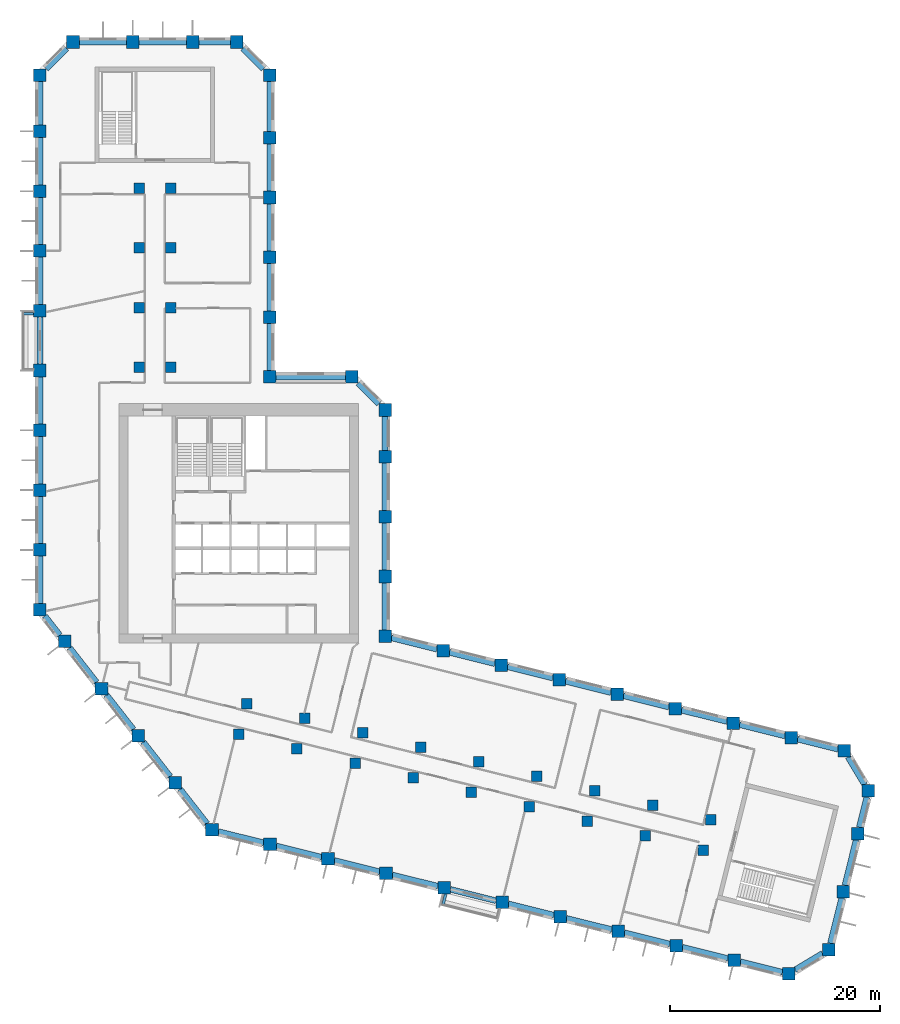
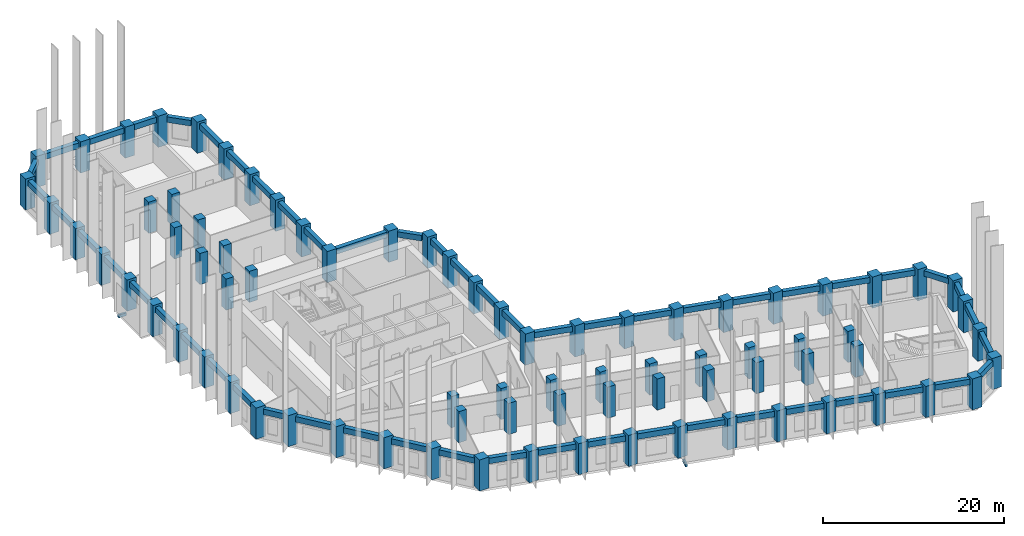
# One storey, part 1 of 10: 79 columns, 55 beams.
"""IFC4 building model written with IfcOpenShell, lengths in metres."""

from ifc_helpers import new_model, si_unit, direction, frame, origin, origin_2d, place, context, subcontext, project, spatial, rectangle, extrude, material, material_profile, profile_set, type_object, element, save


model = new_model("IFC4")

# Units and contexts
model_context = context("Model", 3, precision=1e-05, world=origin(), true_north=direction((0.0, 1.0)))
body_context = subcontext(model_context, "Body", "Model", "MODEL_VIEW")
ifc_project = project(units=[si_unit("LENGTHUNIT", "METRE"), si_unit("AREAUNIT", "SQUARE_METRE"), si_unit("VOLUMEUNIT", "CUBIC_METRE"), si_unit("PLANEANGLEUNIT", "RADIAN"), si_unit("MASSUNIT", "GRAM", prefix="KILO")], contexts=[model_context])

# Site, building, storey
site_placement = place(None, origin())
site = spatial("IfcSite", under=ifc_project, at=site_placement, CompositionType="ELEMENT")
building_placement = place(site_placement, origin())
building = spatial("IfcBuilding", under=site, at=building_placement, Name="Meshkara Civic Tower", CompositionType="ELEMENT")
storey_placement = place(building_placement, frame((0.0, 0.0, 178.199951171875)))
storey = spatial("IfcBuildingStorey", under=building, at=storey_placement, Name="L40", CompositionType="ELEMENT", Elevation=178.199951171875)

# Columns
ifc_material_1 = material(Name="Concrete C70", Category="concrete")
ifc_material_profile_1 = material_profile(ifc_material_1, rectangle(XDim=1.0, YDim=1.0, at=origin_2d()))
ifc_profile_set_1 = profile_set([ifc_material_profile_1], Name="Concrete C70")
column_type_1 = type_object("IfcColumnType", Name="Interior column RC 1000x1000 C70", PredefinedType="COLUMN", material=ifc_profile_set_1)
for number, where, z_axis, x_axis, name in (
    (1, (9.89990234375, 40.35009765625, 0.0), (0.0, 0.0, 1.0), (1.0, 0.0, 0.0), "Column SA1-04 L40"),
    (2, (9.89990234375, 46.050048828125, 0.0), (0.0, 0.0, 1.0), (1.0, 0.0, 0.0), "Column SA1-05 L40"),
    (3, (9.89990234375, 51.75, 0.0), (0.0, 0.0, 1.0), (1.0, 0.0, 0.0), "Column SA1-06 L40"),
    (4, (9.89990234375, 57.449951171875, 0.0), (0.0, 0.0, 1.0), (1.0, 0.0, 0.0), "Column SA1-07 L40"),
    (5, (12.89990234375, 40.35009765625, 0.0), (0.0, 0.0, 1.0), (1.0, 0.0, 0.0), "Column SA2-04 L40"),
    (6, (12.89990234375, 46.050048828125, 0.0), (0.0, 0.0, 1.0), (1.0, 0.0, 0.0), "Column SA2-05 L40"),
    (7, (12.89990234375, 51.75, 0.0), (0.0, 0.0, 1.0), (1.0, 0.0, 0.0), "Column SA2-06 L40"),
    (8, (12.89990234375, 57.449951171875, 0.0), (0.0, 0.0, 1.0), (1.0, 0.0, 0.0), "Column SA2-07 L40"),
    (9, (19.424072265625, 5.360107421875, 0.0), (0.0, 0.0, 1.0), (1.0, 0.0, 0.0), "Column SB1-00 L40"),
    (10, (24.9541015625, 3.98095703125, 0.0), (0.0, 0.0, 1.0), (1.0, 0.0, 0.0), "Column SB1-01 L40"),
    (11, (30.485107421875, 2.60205078125, 0.0), (0.0, 0.0, 1.0), (1.0, 0.0, 0.0), "Column SB1-02 L40"),
    (12, (36.01611328125, 1.222900390625, 0.0), (0.0, 0.0, 1.0), (1.0, 0.0, 0.0), "Column SB1-03 L40"),
    (13, (41.5458984375, -0.156005859375, 0.0), (0.0, 0.0, 1.0), (1.0, 0.0, 0.0), "Column SB1-04 L40"),
    (14, (47.076904296875, -1.534912109375, 0.0), (0.0, 0.0, 1.0), (1.0, 0.0, 0.0), "Column SB1-05 L40"),
    (15, (52.60791015625, -2.9140625, 0.0), (0.0, 0.0, 1.0), (1.0, 0.0, 0.0), "Column SB1-06 L40"),
    (16, (58.138916015625, -4.2919921875, 0.0), (0.0, 0.0, 1.0), (1.0, 0.0, 0.0), "Column SB1-07 L40"),
    (17, (63.6689453125, -5.6708984375, 0.0), (0.0, 0.0, 1.0), (1.0, 0.0, 0.0), "Column SB1-08 L40"),
    (18, (20.14892578125, 8.27099609375, 0.0), (0.0, 0.0, 1.0), (1.0, 0.0, 0.0), "Column SB2-00 L40"),
    (19, (25.679931640625, 6.89208984375, 0.0), (0.0, 0.0, 1.0), (1.0, 0.0, 0.0), "Column SB2-01 L40"),
    (20, (31.2109375, 5.512939453125, 0.0), (0.0, 0.0, 1.0), (1.0, 0.0, 0.0), "Column SB2-02 L40"),
    (21, (36.741943359375, 4.134033203125, 0.0), (0.0, 0.0, 1.0), (1.0, 0.0, 0.0), "Column SB2-03 L40"),
    (22, (42.27197265625, 2.7548828125, 0.0), (0.0, 0.0, 1.0), (1.0, 0.0, 0.0), "Column SB2-04 L40"),
    (23, (47.802978515625, 1.3759765625, 0.0), (0.0, 0.0, 1.0), (1.0, 0.0, 0.0), "Column SB2-05 L40"),
    (24, (53.333984375, -0.0029296875, 0.0), (0.0, 0.0, 1.0), (1.0, 0.0, 0.0), "Column SB2-06 L40"),
    (25, (58.864013671875, -1.382080078125, 0.0), (0.0, 0.0, 1.0), (1.0, 0.0, 0.0), "Column SB2-07 L40"),
    (26, (64.39501953125, -2.760986328125, 0.0), (0.0, 0.0, 1.0), (1.0, 0.0, 0.0), "Column SB2-08 L40"),
):
    element("IfcColumn", number, at=place(storey_placement, frame(where, z_axis=z_axis, x_axis=x_axis)), inside=storey, type_object=column_type_1, Name=name, PredefinedType="COLUMN", context=body_context, shape_type="SweptSolid", body=[
        extrude(rectangle(XDim=1.0, YDim=1.0, at=origin_2d()), origin(), (0.0, 0.0, 1.0), 4.199951171875),
    ])
ifc_material_2 = material(Name="Concrete C70", Category="concrete")
ifc_material_profile_2 = material_profile(ifc_material_2, rectangle(XDim=1.199951171875, YDim=1.199951171875, at=origin_2d()))
ifc_profile_set_2 = profile_set([ifc_material_profile_2], Name="Concrete C70")
column_type_2 = type_object("IfcColumnType", Name="Perimeter column RC 1200x1200 C70", PredefinedType="COLUMN", material=ifc_profile_set_2)
for number, where, z_axis, x_axis, name in (
    (27, (33.35009765625, 14.718994140625, 0.0), (0.0, 0.0, 1.0), (1.0, 0.0, 0.0), "Column HE00 L40"),
    (28, (33.35009765625, 20.4189453125, 0.0), (0.0, 0.0, 1.0), (1.0, 0.0, 0.0), "Column HE01 L40"),
    (29, (33.35009765625, 26.118896484375, 0.0), (0.0, 0.0, 1.0), (1.0, 0.0, 0.0), "Column HE02 L40"),
    (30, (33.35009765625, 31.819091796875, 0.0), (0.0, 0.0, 1.0), (1.0, 0.0, 0.0), "Column HE03 L40"),
    (31, (33.35009765625, 36.2939453125, 0.0), (0.0, 0.0, 1.0), (1.0, 0.0, 0.0), "Column HEE L40"),
    (32, (30.194091796875, 39.449951171875, 0.0), (0.0, 0.0, 1.0), (1.0, 0.0, 0.0), "Column HCeE L40"),
    (33, (22.35009765625, 39.449951171875, 0.0), (0.0, 0.0, 1.0), (1.0, 0.0, 0.0), "Column HN00 L40"),
    (34, (22.35009765625, 45.14990234375, 0.0), (0.0, 0.0, 1.0), (1.0, 0.0, 0.0), "Column AE01 L40"),
    (35, (22.35009765625, 50.85009765625, 0.0), (0.0, 0.0, 1.0), (1.0, 0.0, 0.0), "Column AE02 L40"),
    (36, (22.35009765625, 56.550048828125, 0.0), (0.0, 0.0, 1.0), (1.0, 0.0, 0.0), "Column AE03 L40"),
    (37, (22.35009765625, 62.25, 0.0), (0.0, 0.0, 1.0), (1.0, 0.0, 0.0), "Column AE04 L40"),
    (38, (22.35009765625, 68.214111328125, 0.0), (0.0, 0.0, 1.0), (1.0, 0.0, 0.0), "Column AEEP2 L40"),
    (39, (19.194091796875, 71.3701171875, 0.0), (0.0, 0.0, 1.0), (1.0, 0.0, 0.0), "Column ATiEP2 L40"),
    (40, (3.60595703125, 71.3701171875, 0.0), (0.0, 0.0, 1.0), (1.0, 0.0, 0.0), "Column AT00-P2 L40"),
    (41, (9.305908203125, 71.3701171875, 0.0), (0.0, 0.0, 1.0), (1.0, 0.0, 0.0), "Column AT01-P2 L40"),
    (42, (15.006103515625, 71.3701171875, 0.0), (0.0, 0.0, 1.0), (1.0, 0.0, 0.0), "Column AT02-P2 L40"),
    (43, (0.449951171875, 68.214111328125, 0.0), (0.0, 0.0, 1.0), (1.0, 0.0, 0.0), "Column ATo00-P2 L40"),
    (44, (0.449951171875, 17.2548828125, 0.0), (0.0, 0.0, 1.0), (1.0, 0.0, 0.0), "Column AW00 L40"),
    (45, (0.449951171875, 22.955078125, 0.0), (0.0, 0.0, 1.0), (1.0, 0.0, 0.0), "Column AW01 L40"),
    (46, (0.449951171875, 28.655029296875, 0.0), (0.0, 0.0, 1.0), (1.0, 0.0, 0.0), "Column AW02 L40"),
    (47, (0.449951171875, 34.35498046875, 0.0), (0.0, 0.0, 1.0), (1.0, 0.0, 0.0), "Column AW03 L40"),
    (48, (0.449951171875, 40.054931640625, 0.0), (0.0, 0.0, 1.0), (1.0, 0.0, 0.0), "Column AW04 L40"),
    (49, (0.449951171875, 45.7548828125, 0.0), (0.0, 0.0, 1.0), (1.0, 0.0, 0.0), "Column AW05 L40"),
    (50, (0.449951171875, 51.455078125, 0.0), (0.0, 0.0, 1.0), (1.0, 0.0, 0.0), "Column AW06 L40"),
    (51, (0.449951171875, 57.155029296875, 0.0), (0.0, 0.0, 1.0), (1.0, 0.0, 0.0), "Column AW07 L40"),
    (52, (0.449951171875, 62.85498046875, 0.0), (0.0, 0.0, 1.0), (1.0, 0.0, 0.0), "Column AW08 L40"),
    (53, (16.85107421875, -3.738037109375, 0.0), (0.0, 0.0, 1.0), (1.0, 0.0, 0.0), "Column BOW00 L40"),
    (54, (13.342041015625, 0.75390625, 0.0), (0.0, 0.0, 1.0), (1.0, 0.0, 0.0), "Column BOW01 L40"),
    (55, (9.8330078125, 5.2451171875, 0.0), (0.0, 0.0, 1.0), (1.0, 0.0, 0.0), "Column BOW02 L40"),
    (56, (6.322998046875, 9.737060546875, 0.0), (0.0, 0.0, 1.0), (1.0, 0.0, 0.0), "Column BOW03 L40"),
    (57, (2.81396484375, 14.22900390625, 0.0), (0.0, 0.0, 1.0), (1.0, 0.0, 0.0), "Column BOW04 L40"),
    (58, (22.382080078125, -5.116943359375, 0.0), (0.0, 0.0, 1.0), (1.0, 0.0, 0.0), "Column BS01 L40"),
    (59, (27.912109375, -6.49609375, 0.0), (0.0, 0.0, 1.0), (1.0, 0.0, 0.0), "Column BS02 L40"),
    (60, (33.443115234375, -7.875, 0.0), (0.0, 0.0, 1.0), (1.0, 0.0, 0.0), "Column BS03 L40"),
    (61, (38.97412109375, -9.2529296875, 0.0), (0.0, 0.0, 1.0), (1.0, 0.0, 0.0), "Column BS04-P1 L40"),
    (62, (44.5048828125, -10.632080078125, 0.0), (0.0, 0.0, 1.0), (1.0, 0.0, 0.0), "Column BS05 L40"),
    (63, (50.034912109375, -12.010986328125, 0.0), (0.0, 0.0, 1.0), (1.0, 0.0, 0.0), "Column BS06 L40"),
    (64, (55.56591796875, -13.389892578125, 0.0), (0.0, 0.0, 1.0), (1.0, 0.0, 0.0), "Column BS07 L40"),
    (65, (61.096923828125, -14.76904296875, 0.0), (0.0, 0.0, 1.0), (1.0, 0.0, 0.0), "Column BS08 L40"),
    (66, (66.626953125, -16.14794921875, 0.0), (0.0, 0.0, 1.0), (1.0, 0.0, 0.0), "Column BS09 L40"),
    (67, (71.826904296875, -17.444091796875, 0.0), (0.0, 0.0, 1.0), (1.0, 0.0, 0.0), "Column BSEP2 L40"),
    (68, (75.653076171875, -15.14501953125, 0.0), (0.0, 0.0, 1.0), (1.0, 0.0, 0.0), "Column BToEP2 L40"),
    (69, (77.031982421875, -9.614013671875, 0.0), (0.0, 0.0, 1.0), (1.0, 0.0, 0.0), "Column BT01-P2 L40"),
    (70, (78.410888671875, -4.083984375, 0.0), (0.0, 0.0, 1.0), (1.0, 0.0, 0.0), "Column BT02-P2 L40"),
    (71, (79.424072265625, -0.02099609375, 0.0), (0.0, 0.0, 1.0), (1.0, 0.0, 0.0), "Column BTEP2 L40"),
    (72, (77.125, 3.803955078125, 0.0), (0.0, 0.0, 1.0), (1.0, 0.0, 0.0), "Column BTi00-P2 L40"),
    (73, (38.881103515625, 13.340087890625, 0.0), (0.0, 0.0, 1.0), (1.0, 0.0, 0.0), "Column BN01 L40"),
    (74, (44.410888671875, 11.9609375, 0.0), (0.0, 0.0, 1.0), (1.0, 0.0, 0.0), "Column BN02 L40"),
    (75, (49.94189453125, 10.58203125, 0.0), (0.0, 0.0, 1.0), (1.0, 0.0, 0.0), "Column BN03 L40"),
    (76, (55.472900390625, 9.202880859375, 0.0), (0.0, 0.0, 1.0), (1.0, 0.0, 0.0), "Column BN04 L40"),
    (77, (61.0029296875, 7.823974609375, 0.0), (0.0, 0.0, 1.0), (1.0, 0.0, 0.0), "Column BN05 L40"),
    (78, (66.533935546875, 6.445068359375, 0.0), (0.0, 0.0, 1.0), (1.0, 0.0, 0.0), "Column BN06 L40"),
    (79, (72.06494140625, 5.06591796875, 0.0), (0.0, 0.0, 1.0), (1.0, 0.0, 0.0), "Column BN07 L40"),
):
    element("IfcColumn", number, at=place(storey_placement, frame(where, z_axis=z_axis, x_axis=x_axis)), inside=storey, type_object=column_type_2, Name=name, PredefinedType="COLUMN", context=body_context, shape_type="SweptSolid", body=[
        extrude(rectangle(XDim=1.199951171875, YDim=1.199951171875, at=origin_2d()), origin(), (0.0, 0.0, 1.0), 4.199951171875),
    ])

# Beams
ifc_material_3 = material(Name="Concrete C50", Category="concrete")
ifc_material_profile_3 = material_profile(ifc_material_3, rectangle(XDim=0.25, YDim=0.39990234375, at=origin_2d()))
ifc_profile_set_3 = profile_set([ifc_material_profile_3], Name="Concrete C50")
beam_type_1 = type_object("IfcBeamType", Name="Balcony bracket beam RC 250x400 C50", PredefinedType="BEAM", material=ifc_profile_set_3)
beam_1_placement = place(storey_placement, frame((-0.14501953125, 45.455078125, -0.5), z_axis=(-1.0, 0.0, 0.0), x_axis=(0.0, -1.0, 0.0)))
element("IfcBeam", 80, at=beam_1_placement, inside=storey, type_object=beam_type_1, Name="Balcony bracket beam", PredefinedType="BEAM", context=body_context, shape_type="SweptSolid", body=[
    extrude(rectangle(XDim=0.25, YDim=0.39990234375, at=origin_2d()), origin(), (0.0, 0.0, 1.0), 0.955078125),
])
beam_2_placement = place(storey_placement, frame((39.135009765625, -9.847900390625, -0.5), z_axis=(-0.242138377463, -0.970241725633, 0.0), x_axis=(0.970241725633, -0.242138377463, 0.0)))
element("IfcBeam", 81, at=beam_2_placement, inside=storey, type_object=beam_type_1, Name="Balcony bracket beam", PredefinedType="BEAM", context=body_context, shape_type="SweptSolid", body=[
    extrude(rectangle(XDim=0.25, YDim=0.39990234375, at=origin_2d()), origin(), (0.0, 0.0, 1.0), 1.01220703125),
])
ifc_material_4 = material(Name="Concrete C60", Category="concrete")
ifc_material_profile_4 = material_profile(ifc_material_4, rectangle(XDim=0.550048828125, YDim=0.75, at=origin_2d()))
ifc_profile_set_4 = profile_set([ifc_material_profile_4], Name="Concrete C60")
beam_type_2 = type_object("IfcBeamType", Name="Spandrel beam RC 550x750 C60", PredefinedType="BEAM", material=ifc_profile_set_4)
for number, where, z_axis, x_axis, name in (
    (82, (71.469970703125, 5.21435546875, 3.525146484375), (-0.970296390995, 0.241919229543, 0.0), (-0.241919229543, -0.970296390995, 0.0), "Spandrel beam BN06-BN07"),
    (83, (65.93896484375, 6.593505859375, 3.525146484375), (-0.970309199754, 0.241867850018, 0.0), (-0.241867850018, -0.970309199754, 0.0), "Spandrel beam BN05-BN06"),
):
    element("IfcBeam", number, at=place(storey_placement, frame(where, z_axis=z_axis, x_axis=x_axis)), inside=storey, type_object=beam_type_2, Name=name, PredefinedType="BEAM", context=body_context, shape_type="SweptSolid", body=[
        extrude(rectangle(XDim=0.550048828125, YDim=0.75, at=origin_2d()), origin(), (0.0, 0.0, 1.0), 4.4736328125),
    ])
beam_3_placement = place(storey_placement, frame((60.407958984375, 7.972412109375, 3.525146484375), z_axis=(-0.970283611566, 0.241970479865, 0.0), x_axis=(-0.241970479865, -0.970283611566, 0.0)))
element("IfcBeam", 84, at=beam_3_placement, inside=storey, type_object=beam_type_2, Name="Spandrel beam BN04-BN05", PredefinedType="BEAM", context=body_context, shape_type="SweptSolid", body=[
    extrude(rectangle(XDim=0.550048828125, YDim=0.75, at=origin_2d()), origin(), (0.0, 0.0, 1.0), 4.47265625),
])
for number, where, z_axis, x_axis, name in (
    (85, (54.8779296875, 9.351318359375, 3.525146484375), (-0.970296390995, 0.241919229543, 0.0), (-0.241919229543, -0.970296390995, 0.0), "Spandrel beam BN03-BN04"),
    (86, (49.346923828125, 10.73046875, 3.525146484375), (-0.970309199754, 0.241867850018, 0.0), (-0.241867850018, -0.970309199754, 0.0), "Spandrel beam BN02-BN03"),
):
    element("IfcBeam", number, at=place(storey_placement, frame(where, z_axis=z_axis, x_axis=x_axis)), inside=storey, type_object=beam_type_2, Name=name, PredefinedType="BEAM", context=body_context, shape_type="SweptSolid", body=[
        extrude(rectangle(XDim=0.550048828125, YDim=0.75, at=origin_2d()), origin(), (0.0, 0.0, 1.0), 4.4736328125),
    ])
beam_4_placement = place(storey_placement, frame((43.81591796875, 12.109375, 3.525146484375), z_axis=(-0.970283611566, 0.241970479865, 0.0), x_axis=(-0.241970479865, -0.970283611566, 0.0)))
element("IfcBeam", 87, at=beam_4_placement, inside=storey, type_object=beam_type_2, Name="Spandrel beam BN01-BN02", PredefinedType="BEAM", context=body_context, shape_type="SweptSolid", body=[
    extrude(rectangle(XDim=0.550048828125, YDim=0.75, at=origin_2d()), origin(), (0.0, 0.0, 1.0), 4.47265625),
])
beam_5_placement = place(storey_placement, frame((38.285888671875, 13.48828125, 3.525146484375), z_axis=(-0.970296390995, 0.241919229543, 0.0), x_axis=(-0.241919229543, -0.970296390995, 0.0)))
element("IfcBeam", 88, at=beam_5_placement, inside=storey, type_object=beam_type_2, Name="Spandrel beam BN01-HE00", PredefinedType="BEAM", context=body_context, shape_type="SweptSolid", body=[
    extrude(rectangle(XDim=0.550048828125, YDim=0.75, at=origin_2d()), origin(), (0.0, 0.0, 1.0), 4.4736328125),
])
for number, where, z_axis, x_axis, name in (
    (89, (33.35009765625, 15.31396484375, 3.525146484375), (0.0, 1.0, 0.0), (-1.0, 0.0, 0.0), "Spandrel beam HE00-HE01"),
    (90, (33.35009765625, 21.013916015625, 3.525146484375), (0.0, 1.0, 0.0), (-1.0, 0.0, 0.0), "Spandrel beam HE01-HE02"),
    (91, (33.35009765625, 26.714111328125, 3.525146484375), (0.0, 1.0, 0.0), (-1.0, 0.0, 0.0), "Spandrel beam HE02-HE03"),
):
    element("IfcBeam", number, at=place(storey_placement, frame(where, z_axis=z_axis, x_axis=x_axis)), inside=storey, type_object=beam_type_2, Name=name, PredefinedType="BEAM", context=body_context, shape_type="SweptSolid", body=[
        extrude(rectangle(XDim=0.550048828125, YDim=0.75, at=origin_2d()), origin(), (0.0, 0.0, 1.0), 4.510009765625),
    ])
beam_6_placement = place(storey_placement, frame((33.35009765625, 32.4140625, 3.525146484375), z_axis=(0.0, 1.0, 0.0), x_axis=(-1.0, 0.0, 0.0)))
element("IfcBeam", 92, at=beam_6_placement, inside=storey, type_object=beam_type_2, Name="Spandrel beam HE03-HEE", PredefinedType="BEAM", context=body_context, shape_type="SweptSolid", body=[
    extrude(rectangle(XDim=0.550048828125, YDim=0.75, at=origin_2d()), origin(), (0.0, 0.0, 1.0), 3.284912109375),
])
beam_7_placement = place(storey_placement, frame((32.75341796875, 36.890380859375, 3.525146484375), z_axis=(-0.707062808252, 0.707150751387, 0.0), x_axis=(-0.707150751387, -0.707062808252, 0.0)))
element("IfcBeam", 93, at=beam_7_placement, inside=storey, type_object=beam_type_2, Name="Spandrel beam HCeE-HEE", PredefinedType="BEAM", context=body_context, shape_type="SweptSolid", body=[
    extrude(rectangle(XDim=0.550048828125, YDim=0.75, at=origin_2d()), origin(), (0.0, 0.0, 1.0), 2.776123046875),
])
beam_8_placement = place(storey_placement, frame((29.59912109375, 39.449951171875, 3.525146484375), z_axis=(-1.0, 0.0, 0.0), x_axis=(0.0, -1.0, 0.0)))
element("IfcBeam", 94, at=beam_8_placement, inside=storey, type_object=beam_type_2, Name="Spandrel beam HCeE-HN00", PredefinedType="BEAM", context=body_context, shape_type="SweptSolid", body=[
    extrude(rectangle(XDim=0.550048828125, YDim=0.75, at=origin_2d()), origin(), (0.0, 0.0, 1.0), 6.654052734375),
])
beam_9_placement = place(storey_placement, frame((22.35009765625, 40.044921875, 3.525146484375), z_axis=(0.0, 1.0, 0.0), x_axis=(-1.0, 0.0, 0.0)))
element("IfcBeam", 95, at=beam_9_placement, inside=storey, type_object=beam_type_2, Name="Spandrel beam AE01-HN00", PredefinedType="BEAM", context=body_context, shape_type="SweptSolid", body=[
    extrude(rectangle(XDim=0.550048828125, YDim=0.75, at=origin_2d()), origin(), (0.0, 0.0, 1.0), 4.510009765625),
])
beam_10_placement = place(storey_placement, frame((22.35009765625, 45.7451171875, 3.525146484375), z_axis=(0.0, 1.0, 0.0), x_axis=(-1.0, 0.0, 0.0)))
element("IfcBeam", 96, at=beam_10_placement, inside=storey, type_object=beam_type_2, Name="Spandrel beam AE01-AE02", PredefinedType="BEAM", context=body_context, shape_type="SweptSolid", body=[
    extrude(rectangle(XDim=0.550048828125, YDim=0.75, at=origin_2d()), origin(), (0.0, 0.0, 1.0), 4.509765625),
])
for number, where, z_axis, x_axis, name in (
    (97, (22.35009765625, 51.445068359375, 3.525146484375), (0.0, 1.0, 0.0), (-1.0, 0.0, 0.0), "Spandrel beam AE02-AE03"),
    (98, (22.35009765625, 57.14501953125, 3.525146484375), (0.0, 1.0, 0.0), (-1.0, 0.0, 0.0), "Spandrel beam AE03-AE04"),
):
    element("IfcBeam", number, at=place(storey_placement, frame(where, z_axis=z_axis, x_axis=x_axis)), inside=storey, type_object=beam_type_2, Name=name, PredefinedType="BEAM", context=body_context, shape_type="SweptSolid", body=[
        extrude(rectangle(XDim=0.550048828125, YDim=0.75, at=origin_2d()), origin(), (0.0, 0.0, 1.0), 4.510009765625),
    ])
beam_11_placement = place(storey_placement, frame((22.35009765625, 62.844970703125, 3.525146484375), z_axis=(0.0, 1.0, 0.0), x_axis=(-1.0, 0.0, 0.0)))
element("IfcBeam", 99, at=beam_11_placement, inside=storey, type_object=beam_type_2, Name="Spandrel beam AE04-AEEP2", PredefinedType="BEAM", context=body_context, shape_type="SweptSolid", body=[
    extrude(rectangle(XDim=0.550048828125, YDim=0.75, at=origin_2d()), origin(), (0.0, 0.0, 1.0), 4.77392578125),
])
beam_12_placement = place(storey_placement, frame((21.75341796875, 68.810546875, 3.525146484375), z_axis=(-0.707106781187, 0.707106781187, 0.0), x_axis=(-0.707106781187, -0.707106781187, 0.0)))
element("IfcBeam", 100, at=beam_12_placement, inside=storey, type_object=beam_type_2, Name="Spandrel beam AEEP2-ATiEP2", PredefinedType="BEAM", context=body_context, shape_type="SweptSolid", body=[
    extrude(rectangle(XDim=0.550048828125, YDim=0.75, at=origin_2d()), origin(), (0.0, 0.0, 1.0), 2.77587890625),
])
beam_13_placement = place(storey_placement, frame((18.59912109375, 71.3701171875, 3.525146484375), z_axis=(-1.0, 0.0, 0.0), x_axis=(0.0, -1.0, 0.0)))
element("IfcBeam", 101, at=beam_13_placement, inside=storey, type_object=beam_type_2, Name="Spandrel beam AT02-P2-ATiEP2", PredefinedType="BEAM", context=body_context, shape_type="SweptSolid", body=[
    extrude(rectangle(XDim=0.550048828125, YDim=0.75, at=origin_2d()), origin(), (0.0, 0.0, 1.0), 2.998046875),
])
for number, where, z_axis, x_axis, name in (
    (102, (14.410888671875, 71.3701171875, 3.525146484375), (-1.0, 0.0, 0.0), (0.0, -1.0, 0.0), "Spandrel beam AT01-P2-AT02-P2"),
    (103, (8.7109375, 71.3701171875, 3.525146484375), (-1.0, 0.0, 0.0), (0.0, -1.0, 0.0), "Spandrel beam AT00-P2-AT01-P2"),
):
    element("IfcBeam", number, at=place(storey_placement, frame(where, z_axis=z_axis, x_axis=x_axis)), inside=storey, type_object=beam_type_2, Name=name, PredefinedType="BEAM", context=body_context, shape_type="SweptSolid", body=[
        extrude(rectangle(XDim=0.550048828125, YDim=0.75, at=origin_2d()), origin(), (0.0, 0.0, 1.0), 4.510009765625),
    ])
beam_14_placement = place(storey_placement, frame((3.009521484375, 70.7734375, 3.525146484375), z_axis=(-0.707150751387, -0.707062808252, 0.0), x_axis=(0.707062808252, -0.707150751387, 0.0)))
element("IfcBeam", 104, at=beam_14_placement, inside=storey, type_object=beam_type_2, Name="Spandrel beam AT00-P2-ATo00-P2", PredefinedType="BEAM", context=body_context, shape_type="SweptSolid", body=[
    extrude(rectangle(XDim=0.550048828125, YDim=0.75, at=origin_2d()), origin(), (0.0, 0.0, 1.0), 2.776123046875),
])
beam_15_placement = place(storey_placement, frame((0.449951171875, 67.618896484375, 3.525146484375), z_axis=(0.0, -1.0, 0.0), x_axis=(1.0, 0.0, 0.0)))
element("IfcBeam", 105, at=beam_15_placement, inside=storey, type_object=beam_type_2, Name="Spandrel beam ATo00-P2-AW08", PredefinedType="BEAM", context=body_context, shape_type="SweptSolid", body=[
    extrude(rectangle(XDim=0.550048828125, YDim=0.75, at=origin_2d()), origin(), (0.0, 0.0, 1.0), 4.1689453125),
])
for number, where, z_axis, x_axis, name in (
    (106, (0.449951171875, 62.260009765625, 3.525146484375), (0.0, -1.0, 0.0), (1.0, 0.0, 0.0), "Spandrel beam AW07-AW08"),
    (107, (0.449951171875, 56.56005859375, 3.525146484375), (0.0, -1.0, 0.0), (1.0, 0.0, 0.0), "Spandrel beam AW06-AW07"),
    (108, (0.449951171875, 50.860107421875, 3.525146484375), (0.0, -1.0, 0.0), (1.0, 0.0, 0.0), "Spandrel beam AW05-AW06"),
    (109, (0.449951171875, 45.159912109375, 3.525146484375), (0.0, -1.0, 0.0), (1.0, 0.0, 0.0), "Spandrel beam AW04-AW05"),
    (110, (0.449951171875, 39.4599609375, 3.525146484375), (0.0, -1.0, 0.0), (1.0, 0.0, 0.0), "Spandrel beam AW03-AW04"),
    (111, (0.449951171875, 33.760009765625, 3.525146484375), (0.0, -1.0, 0.0), (1.0, 0.0, 0.0), "Spandrel beam AW02-AW03"),
    (112, (0.449951171875, 28.06005859375, 3.525146484375), (0.0, -1.0, 0.0), (1.0, 0.0, 0.0), "Spandrel beam AW01-AW02"),
    (113, (0.449951171875, 22.360107421875, 3.525146484375), (0.0, -1.0, 0.0), (1.0, 0.0, 0.0), "Spandrel beam AW00-AW01"),
):
    element("IfcBeam", number, at=place(storey_placement, frame(where, z_axis=z_axis, x_axis=x_axis)), inside=storey, type_object=beam_type_2, Name=name, PredefinedType="BEAM", context=body_context, shape_type="SweptSolid", body=[
        extrude(rectangle(XDim=0.550048828125, YDim=0.75, at=origin_2d()), origin(), (0.0, 0.0, 1.0), 4.510009765625),
    ])
beam_16_placement = place(storey_placement, frame((0.915771484375, 16.658935546875, 3.525146484375), z_axis=(0.615646077935, -0.788022783124, 0.0), x_axis=(0.788022783124, 0.615646077935, 0.0)))
element("IfcBeam", 114, at=beam_16_placement, inside=storey, type_object=beam_type_2, Name="Spandrel beam AW00-BOW04", PredefinedType="BEAM", context=body_context, shape_type="SweptSolid", body=[
    extrude(rectangle(XDim=0.550048828125, YDim=0.75, at=origin_2d()), origin(), (0.0, 0.0, 1.0), 2.326904296875),
])
beam_17_placement = place(storey_placement, frame((3.279541015625, 13.6328125, 3.525146484375), z_axis=(0.615630464754, -0.788034980738, 0.0), x_axis=(0.788034980738, 0.615630464754, 0.0)))
element("IfcBeam", 115, at=beam_17_placement, inside=storey, type_object=beam_type_2, Name="Spandrel beam BOW03-BOW04", PredefinedType="BEAM", context=body_context, shape_type="SweptSolid", body=[
    extrude(rectangle(XDim=0.550048828125, YDim=0.75, at=origin_2d()), origin(), (0.0, 0.0, 1.0), 4.1875),
])
beam_18_placement = place(storey_placement, frame((6.788818359375, 9.140869140625, 3.525146484375), z_axis=(0.61570287025, -0.787978410596, 0.0), x_axis=(0.787978410596, 0.61570287025, 0.0)))
element("IfcBeam", 116, at=beam_18_placement, inside=storey, type_object=beam_type_2, Name="Spandrel beam BOW02-BOW03", PredefinedType="BEAM", context=body_context, shape_type="SweptSolid", body=[
    extrude(rectangle(XDim=0.550048828125, YDim=0.75, at=origin_2d()), origin(), (0.0, 0.0, 1.0), 4.187744140625),
])
beam_19_placement = place(storey_placement, frame((10.298583984375, 4.64892578125, 3.525146484375), z_axis=(0.615707413829, -0.787974860358, 0.0), x_axis=(0.787974860358, 0.615707413829, 0.0)))
element("IfcBeam", 117, at=beam_19_placement, inside=storey, type_object=beam_type_2, Name="Spandrel beam BOW01-BOW02", PredefinedType="BEAM", context=body_context, shape_type="SweptSolid", body=[
    extrude(rectangle(XDim=0.550048828125, YDim=0.75, at=origin_2d()), origin(), (0.0, 0.0, 1.0), 4.1865234375),
])
beam_20_placement = place(storey_placement, frame((13.8076171875, 0.157958984375, 3.525146484375), z_axis=(0.615630464754, -0.788034980738, 0.0), x_axis=(0.788034980738, 0.615630464754, 0.0)))
element("IfcBeam", 118, at=beam_20_placement, inside=storey, type_object=beam_type_2, Name="Spandrel beam BOW00-BOW01", PredefinedType="BEAM", context=body_context, shape_type="SweptSolid", body=[
    extrude(rectangle(XDim=0.550048828125, YDim=0.75, at=origin_2d()), origin(), (0.0, 0.0, 1.0), 4.1875),
])
beam_21_placement = place(storey_placement, frame((17.446044921875, -3.886474609375, 3.525146484375), z_axis=(0.970309199754, -0.241867850018, 0.0), x_axis=(0.241867850018, 0.970309199754, 0.0)))
element("IfcBeam", 119, at=beam_21_placement, inside=storey, type_object=beam_type_2, Name="Spandrel beam BOW00-BS01", PredefinedType="BEAM", context=body_context, shape_type="SweptSolid", body=[
    extrude(rectangle(XDim=0.550048828125, YDim=0.75, at=origin_2d()), origin(), (0.0, 0.0, 1.0), 4.4736328125),
])
beam_22_placement = place(storey_placement, frame((22.97705078125, -5.265380859375, 3.525146484375), z_axis=(0.970283611566, -0.241970479865, 0.0), x_axis=(0.241970479865, 0.970283611566, 0.0)))
element("IfcBeam", 120, at=beam_22_placement, inside=storey, type_object=beam_type_2, Name="Spandrel beam BS01-BS02", PredefinedType="BEAM", context=body_context, shape_type="SweptSolid", body=[
    extrude(rectangle(XDim=0.550048828125, YDim=0.75, at=origin_2d()), origin(), (0.0, 0.0, 1.0), 4.47265625),
])
for number, where, z_axis, x_axis, name in (
    (121, (28.507080078125, -6.644287109375, 3.525146484375), (0.970296390995, -0.241919229543, 0.0), (0.241919229543, 0.970296390995, 0.0), "Spandrel beam BS02-BS03"),
    (122, (34.0380859375, -8.023193359375, 3.525146484375), (0.970334810126, -0.241765084863, 0.0), (0.241765084863, 0.970334810126, 0.0), "Spandrel beam BS03-BS04-P1"),
    (123, (39.569091796875, -9.4013671875, 3.525146484375), (0.970296390995, -0.241919229543, 0.0), (0.241919229543, 0.970296390995, 0.0), "Spandrel beam BS04-P1-BS05"),
):
    element("IfcBeam", number, at=place(storey_placement, frame(where, z_axis=z_axis, x_axis=x_axis)), inside=storey, type_object=beam_type_2, Name=name, PredefinedType="BEAM", context=body_context, shape_type="SweptSolid", body=[
        extrude(rectangle(XDim=0.550048828125, YDim=0.75, at=origin_2d()), origin(), (0.0, 0.0, 1.0), 4.4736328125),
    ])
beam_23_placement = place(storey_placement, frame((45.10009765625, -10.780517578125, 3.525146484375), z_axis=(0.970296425585, -0.241919090807, 0.0), x_axis=(0.241919090807, 0.970296425585, 0.0)))
element("IfcBeam", 124, at=beam_23_placement, inside=storey, type_object=beam_type_2, Name="Spandrel beam BS05-BS06", PredefinedType="BEAM", context=body_context, shape_type="SweptSolid", body=[
    extrude(rectangle(XDim=0.550048828125, YDim=0.75, at=origin_2d()), origin(), (0.0, 0.0, 1.0), 4.47265625),
])
for number, where, z_axis, x_axis, name in (
    (125, (50.630126953125, -12.159423828125, 3.525146484375), (0.970296390995, -0.241919229543, 0.0), (0.241919229543, 0.970296390995, 0.0), "Spandrel beam BS06-BS07"),
    (126, (56.1611328125, -13.538330078125, 3.525146484375), (0.970296390995, -0.241919229543, 0.0), (0.241919229543, 0.970296390995, 0.0), "Spandrel beam BS07-BS08"),
):
    element("IfcBeam", number, at=place(storey_placement, frame(where, z_axis=z_axis, x_axis=x_axis)), inside=storey, type_object=beam_type_2, Name=name, PredefinedType="BEAM", context=body_context, shape_type="SweptSolid", body=[
        extrude(rectangle(XDim=0.550048828125, YDim=0.75, at=origin_2d()), origin(), (0.0, 0.0, 1.0), 4.4736328125),
    ])
beam_24_placement = place(storey_placement, frame((61.692138671875, -14.91748046875, 3.525146484375), z_axis=(0.970296425585, -0.241919090807, 0.0), x_axis=(0.241919090807, 0.970296425585, 0.0)))
element("IfcBeam", 127, at=beam_24_placement, inside=storey, type_object=beam_type_2, Name="Spandrel beam BS08-BS09", PredefinedType="BEAM", context=body_context, shape_type="SweptSolid", body=[
    extrude(rectangle(XDim=0.550048828125, YDim=0.75, at=origin_2d()), origin(), (0.0, 0.0, 1.0), 4.47265625),
])
beam_25_placement = place(storey_placement, frame((67.22216796875, -16.29638671875, 3.525146484375), z_axis=(0.970322944839, -0.241812701731, 0.0), x_axis=(0.241812701731, 0.970322944839, 0.0)))
element("IfcBeam", 128, at=beam_25_placement, inside=storey, type_object=beam_type_2, Name="Spandrel beam BS09-BSEP2", PredefinedType="BEAM", context=body_context, shape_type="SweptSolid", body=[
    extrude(rectangle(XDim=0.550048828125, YDim=0.75, at=origin_2d()), origin(), (0.0, 0.0, 1.0), 4.13232421875),
])
beam_26_placement = place(storey_placement, frame((72.422607421875, -17.0859375, 3.525146484375), z_axis=(0.85718440509, 0.515009607358, 0.0), x_axis=(-0.515009607358, 0.85718440509, 0.0)))
element("IfcBeam", 129, at=beam_26_placement, inside=storey, type_object=beam_type_2, Name="Spandrel beam BSEP2-BToEP2", PredefinedType="BEAM", context=body_context, shape_type="SweptSolid", body=[
    extrude(rectangle(XDim=0.550048828125, YDim=0.75, at=origin_2d()), origin(), (0.0, 0.0, 1.0), 3.07373046875),
])
beam_27_placement = place(storey_placement, frame((75.801513671875, -14.5498046875, 3.525146484375), z_axis=(0.241867850018, 0.970309199754, 0.0), x_axis=(-0.970309199754, 0.241867850018, 0.0)))
element("IfcBeam", 130, at=beam_27_placement, inside=storey, type_object=beam_type_2, Name="Spandrel beam BT01-P2-BToEP2", PredefinedType="BEAM", context=body_context, shape_type="SweptSolid", body=[
    extrude(rectangle(XDim=0.550048828125, YDim=0.75, at=origin_2d()), origin(), (0.0, 0.0, 1.0), 4.4736328125),
])
beam_28_placement = place(storey_placement, frame((77.180419921875, -9.018798828125, 3.525146484375), z_axis=(0.241983295733, 0.97028041544, 0.0), x_axis=(-0.97028041544, 0.241983295733, 0.0)))
element("IfcBeam", 131, at=beam_28_placement, inside=storey, type_object=beam_type_2, Name="Spandrel beam BT01-P2-BT02-P2", PredefinedType="BEAM", context=body_context, shape_type="SweptSolid", body=[
    extrude(rectangle(XDim=0.550048828125, YDim=0.75, at=origin_2d()), origin(), (0.0, 0.0, 1.0), 4.472412109375),
])
beam_29_placement = place(storey_placement, frame((78.559326171875, -3.489013671875, 3.525146484375), z_axis=(0.241934114249, 0.970292679743, 0.0), x_axis=(-0.970292679743, 0.241934114249, 0.0)))
element("IfcBeam", 132, at=beam_29_placement, inside=storey, type_object=beam_type_2, Name="Spandrel beam BT02-P2-BTEP2", PredefinedType="BEAM", context=body_context, shape_type="SweptSolid", body=[
    extrude(rectangle(XDim=0.550048828125, YDim=0.75, at=origin_2d()), origin(), (0.0, 0.0, 1.0), 2.960693359375),
])
beam_30_placement = place(storey_placement, frame((79.06591796875, 0.57470703125, 3.525146484375), z_axis=(-0.515126606613, 0.857114099265, 0.0), x_axis=(-0.857114099265, -0.515126606613, 0.0)))
element("IfcBeam", 133, at=beam_30_placement, inside=storey, type_object=beam_type_2, Name="Spandrel beam BTEP2-BTi00-P2", PredefinedType="BEAM", context=body_context, shape_type="SweptSolid", body=[
    extrude(rectangle(XDim=0.550048828125, YDim=0.75, at=origin_2d()), origin(), (0.0, 0.0, 1.0), 3.072509765625),
])
beam_31_placement = place(storey_placement, frame((76.52978515625, 3.952392578125, 3.525146484375), z_axis=(-0.970279182293, 0.241988240227, 0.0), x_axis=(-0.241988240227, -0.970279182293, 0.0)))
element("IfcBeam", 134, at=beam_31_placement, inside=storey, type_object=beam_type_2, Name="Spandrel beam BN07-BTi00-P2", PredefinedType="BEAM", context=body_context, shape_type="SweptSolid", body=[
    extrude(rectangle(XDim=0.550048828125, YDim=0.75, at=origin_2d()), origin(), (0.0, 0.0, 1.0), 3.98828125),
])

save(model, "model.ifc")
